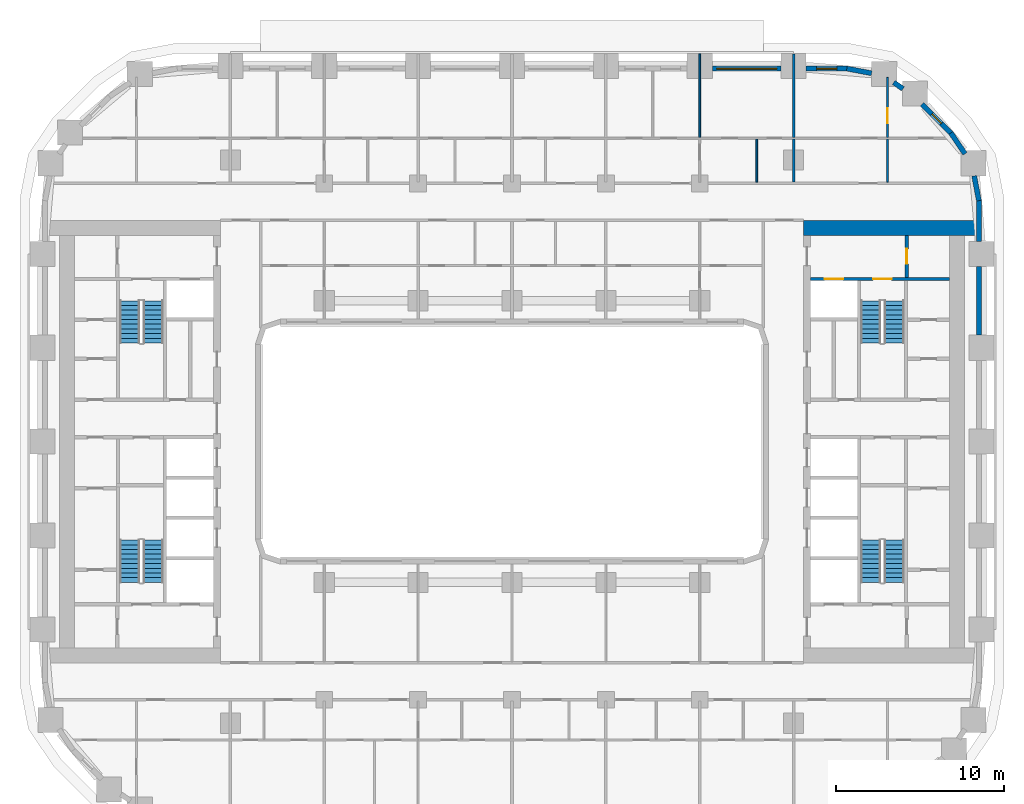
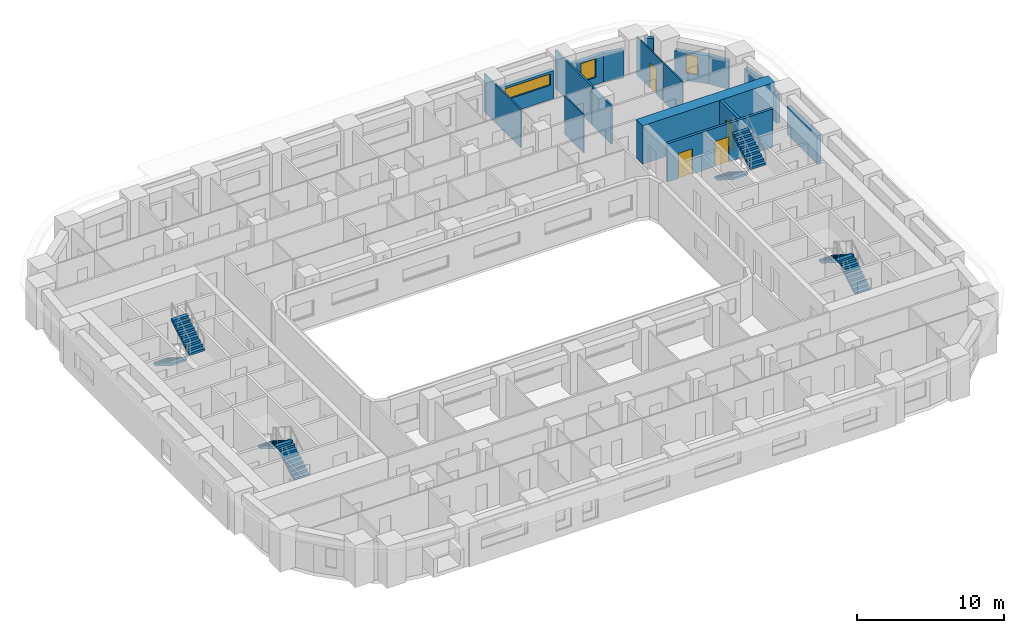
# One storey, part 10 of 21: 18 walls, 8 stair flights, 4 doors, 3 windows, 7 openings, 4 elements without a shape of their own.
"""IFC4 building model written with IfcOpenShell, lengths in metres."""

from ifc_helpers import new_model, si_unit, direction, frame, frame_2d, origin, place, context, subcontext, project, spatial, polyline, rectangle, outline, extrude, material, layer, layer_set, type_object, element, fill, aggregate, save


model = new_model("IFC4")

# Units and contexts
model_context = context("Model", 3, precision=1e-05, world=origin(), true_north=direction((0.0, 1.0)))
body_context = subcontext(model_context, "Body", "Model", "MODEL_VIEW")
ifc_project = project(units=[si_unit("LENGTHUNIT", "METRE"), si_unit("AREAUNIT", "SQUARE_METRE"), si_unit("VOLUMEUNIT", "CUBIC_METRE"), si_unit("PLANEANGLEUNIT", "RADIAN"), si_unit("MASSUNIT", "GRAM", prefix="KILO")], contexts=[model_context])

# Site, building, storey
site_placement = place(None, origin())
site = spatial("IfcSite", under=ifc_project, at=site_placement, CompositionType="ELEMENT")
building_placement = place(site_placement, origin())
building = spatial("IfcBuilding", under=site, at=building_placement, Name="Kiln Ring Residences", CompositionType="ELEMENT")
storey_placement = place(building_placement, frame((0.0, 0.0, 41.0)))
storey = spatial("IfcBuildingStorey", under=building, at=storey_placement, Name="L09", CompositionType="ELEMENT", Elevation=41.0)

# Wall, opening, door
ifc_material_1 = material(Name="Gypsum board on steel studs", Category="steel")
ifc_layer_1 = layer(ifc_material_1, 0.199951171875)
ifc_layer_set_1 = layer_set([ifc_layer_1], Name="CORE-PARTITION-200")
wall_type_1 = type_object("IfcWallType", Name="CORE-PARTITION-200", PredefinedType="PARTITIONING", material=ifc_layer_set_1)
wall_1_placement = place(storey_placement, frame((23.550048828125, 9.800048828125, 0.0), z_axis=(0.0, 0.0, 1.0), x_axis=(0.0, 1.0, 0.0)))
wall_1 = element("IfcWall", 1, at=wall_1_placement, inside=storey, type_object=wall_type_1, Name="Core partition east L09 4", PredefinedType="PARTITIONING", context=body_context, shape_type="SweptSolid", body=[
    extrude(rectangle(XDim=2.5, YDim=0.199951171875, at=frame_2d((1.25, 0.0))), origin(), (0.0, 0.0, 1.0), 3.199951171875),
])
opening_1_placement = place(wall_1_placement, frame((0.800048828125, 0.0, 0.0)))
opening_1 = element("IfcOpeningElement", 2, at=opening_1_placement, cuts=wall_1, Name="Opening L09-CE10", PredefinedType="OPENING", context=body_context, shape_type="SweptSolid", body=[
    extrude(rectangle(XDim=0.89990234375, YDim=2.10009765625, at=frame_2d((0.449951171875, 1.050048828125))), frame((0.0, 0.10986328125, 0.0), z_axis=(0.0, -1.0, 0.0), x_axis=(1.0, 0.0, 0.0)), (0.0, 0.0, 1.0), 0.219970703125),
])
ifc_material_2 = material(Name="Steel door leaf", Category="steel")
door_type_1 = type_object("IfcDoorType", Name="CORE-DOOR-ROOM", OperationType="SINGLE_SWING_LEFT", PredefinedType="DOOR", material=ifc_material_2)
door_1_placement = place(opening_1_placement, origin())
door_1 = element("IfcDoor", 3, at=door_1_placement, inside=storey, type_object=door_type_1, Name="Fire riser room L09-CE10", OperationType="SINGLE_SWING_LEFT", OverallHeight=2.10009765625, OverallWidth=0.89990234375, PredefinedType="DOOR", context=body_context, shape_type="SweptSolid", body=[
    extrude(rectangle(XDim=0.89990234375, YDim=2.10009765625, at=frame_2d((0.449951171875, 1.050048828125))), frame((0.0, 0.02490234375, 0.0), z_axis=(0.0, -1.0, 0.0), x_axis=(1.0, 0.0, 0.0)), (0.0, 0.0, 1.0), 0.050048828125),
])
fill(opening_1, door_1)

# Wall, openings, doors
ifc_material_3 = material(Name="Concrete C40/50", Category="concrete")
ifc_layer_2 = layer(ifc_material_3, 0.199951171875)
ifc_layer_set_2 = layer_set([ifc_layer_2], Name="CORE-WALL-RC200")
wall_type_2 = type_object("IfcWallType", Name="CORE-WALL-RC200", PredefinedType="SHEAR", material=ifc_layer_set_2)
wall_2_placement = place(storey_placement, frame((17.800048828125, 9.699951171875, 0.0), z_axis=(0.0, 0.0, 1.0), x_axis=(1.0, 0.0, 0.0)))
wall_2 = element("IfcWall", 4, at=wall_2_placement, inside=storey, type_object=wall_type_2, Name="Core wall east L09 9", PredefinedType="SHEAR", context=body_context, shape_type="SweptSolid", body=[
    extrude(rectangle(XDim=8.300048828125, YDim=0.199951171875, at=frame_2d((4.14990234375, 0.0))), origin(), (0.0, 0.0, 1.0), 3.199951171875),
])
opening_2_placement = place(wall_2_placement, frame((0.85009765625, 0.0, 0.0)))
opening_2 = element("IfcOpeningElement", 5, at=opening_2_placement, cuts=wall_2, Name="Opening L09-CE07", PredefinedType="OPENING", context=body_context, shape_type="SweptSolid", body=[
    extrude(rectangle(XDim=1.10009765625, YDim=2.10009765625, at=frame_2d((0.550048828125, 1.050048828125))), frame((0.0, 0.10986328125, 0.0), z_axis=(0.0, -1.0, 0.0), x_axis=(1.0, 0.0, 0.0)), (0.0, 0.0, 1.0), 0.219970703125),
])
opening_3_placement = place(wall_2_placement, frame((3.75, 0.0, 0.0)))
opening_3 = element("IfcOpeningElement", 6, at=opening_3_placement, cuts=wall_2, Name="Opening L09-CE12", PredefinedType="OPENING", context=body_context, shape_type="SweptSolid", body=[
    extrude(rectangle(XDim=1.10009765625, YDim=2.10009765625, at=frame_2d((0.550048828125, 1.050048828125))), frame((0.0, 0.10986328125, 0.0), z_axis=(0.0, -1.0, 0.0), x_axis=(1.0, 0.0, 0.0)), (0.0, 0.0, 1.0), 0.219970703125),
])
ifc_material_4 = material(Name="Steel door leaf", Category="steel")
door_type_2 = type_object("IfcDoorType", Name="CORE-DOOR-LD", OperationType="DOUBLE_DOOR_SLIDING", PredefinedType="DOOR", material=ifc_material_4)
door_2_placement = place(opening_2_placement, origin())
door_2 = element("IfcDoor", 7, at=door_2_placement, inside=storey, type_object=door_type_2, Name="LD E-FF L09-CE07", OperationType="DOUBLE_DOOR_SLIDING", OverallHeight=2.10009765625, OverallWidth=1.10009765625, PredefinedType="DOOR", context=body_context, shape_type="SweptSolid", body=[
    extrude(rectangle(XDim=1.10009765625, YDim=2.10009765625, at=frame_2d((0.550048828125, 1.050048828125))), frame((0.0, 0.02490234375, 0.0), z_axis=(0.0, -1.0, 0.0), x_axis=(1.0, 0.0, 0.0)), (0.0, 0.0, 1.0), 0.050048828125),
])
fill(opening_2, door_2)
ifc_material_5 = material(Name="Steel door leaf", Category="steel")
door_type_3 = type_object("IfcDoorType", Name="CORE-DOOR-STAIR", OperationType="SINGLE_SWING_LEFT", PredefinedType="DOOR", material=ifc_material_5)
door_3_placement = place(opening_3_placement, origin())
door_3 = element("IfcDoor", 8, at=door_3_placement, inside=storey, type_object=door_type_3, Name="Stair E-STN L09-CE12", OperationType="SINGLE_SWING_LEFT", OverallHeight=2.10009765625, OverallWidth=1.10009765625, PredefinedType="DOOR", context=body_context, shape_type="SweptSolid", body=[
    extrude(rectangle(XDim=1.10009765625, YDim=2.10009765625, at=frame_2d((0.550048828125, 1.050048828125))), frame((0.0, 0.02490234375, 0.0), z_axis=(0.0, -1.0, 0.0), x_axis=(1.0, 0.0, 0.0)), (0.0, 0.0, 1.0), 0.050048828125),
])
fill(opening_3, door_3)

# Walls
ifc_material_6 = material(Name="Concrete C60/75", Category="concrete")
ifc_layer_3 = layer(ifc_material_6, 0.89990234375)
ifc_layer_set_3 = layer_set([ifc_layer_3], Name="CORE-WALL-RC900")
wall_type_3 = type_object("IfcWallType", Name="CORE-WALL-RC900", PredefinedType="SHEAR", material=ifc_layer_set_3)
wall_3_placement = place(storey_placement, frame((17.39990234375, 12.75, 0.0), z_axis=(0.0, 0.0, 1.0), x_axis=(1.0, 0.0, 0.0)))
element("IfcWall", 9, at=wall_3_placement, inside=storey, type_object=wall_type_3, Name="Core wall east L09 4", PredefinedType="SHEAR", context=body_context, shape_type="SweptSolid", body=[
    extrude(rectangle(XDim=10.400146484375, YDim=0.89990234375, at=frame_2d((5.2001953125, 0.0))), origin(), (0.0, 0.0, 1.0), 3.199951171875),
])
ifc_material_7 = material(Name="Brick masonry, dark clay brick", Category="masonry")
ifc_layer_4 = layer(ifc_material_7, 0.300048828125)
ifc_layer_set_4 = layer_set([ifc_layer_4], Name="EW-300 BRICK WALL")
wall_type_4 = type_object("IfcWallType", Name="EW-300 BRICK WALL", PredefinedType="SOLIDWALL", material=ifc_layer_set_4)
wall_4_placement = place(storey_placement, frame((27.85009765625, 6.35009765625, 0.0), z_axis=(0.0, 0.0, 1.0), x_axis=(0.0, 1.0, 0.0)))
element("IfcWall", 10, at=wall_4_placement, inside=storey, type_object=wall_type_4, Name="Facade wall L09 21", PredefinedType="SOLIDWALL", context=body_context, shape_type="SweptSolid", body=[
    extrude(rectangle(XDim=4.099853515625, YDim=0.300048828125, at=frame_2d((2.0498046875, 0.0))), origin(), (0.0, 0.0, 1.0), 2.35009765625),
])
wall_5_placement = place(storey_placement, frame((27.85009765625, 11.949951171875, 0.0), z_axis=(0.0, 0.0, 1.0), x_axis=(0.0, 1.0, 0.0)))
element("IfcWall", 11, at=wall_5_placement, inside=storey, type_object=wall_type_4, Name="Facade wall L09 22", PredefinedType="SOLIDWALL", context=body_context, shape_type="SweptSolid", body=[
    extrude(rectangle(XDim=2.449951171875, YDim=0.300048828125, at=frame_2d((1.22509765625, 0.0))), origin(), (0.0, 0.0, 1.0), 2.35009765625),
])
for number, where, z_axis, x_axis, name in (
    (12, (27.8525390625, 14.371826171875, 0.0), (0.0, 0.0, 1.0), (-0.187223837635, 0.982317277982, 0.0), "Facade wall L09 23"),
    (13, (27.025390625, 17.1669921875, 0.0), (0.0, 0.0, 1.0), (-0.561973021955, 0.827155561303, 0.0), "Facade wall L09 24"),
):
    element("IfcWall", number, at=place(storey_placement, frame(where, z_axis=z_axis, x_axis=x_axis)), inside=storey, type_object=wall_type_4, Name=name, PredefinedType="SOLIDWALL", context=body_context, shape_type="SweptSolid", body=[
        extrude(rectangle(XDim=1.506103515625, YDim=0.300048828125, at=frame_2d((0.7529296875, 0.0))), origin(), (0.0, 0.0, 1.0), 2.35009765625),
    ])

# Wall, opening, window
wall_6_placement = place(storey_placement, frame((26.19677734375, 18.390869140625, 0.0), z_axis=(0.0, 0.0, 1.0), x_axis=(-0.707106781187, 0.707106781187, 0.0)))
wall_6 = element("IfcWall", 14, at=wall_6_placement, inside=storey, type_object=wall_type_4, Name="Facade wall L09 25", PredefinedType="SOLIDWALL", context=body_context, shape_type="SweptSolid", body=[
    extrude(rectangle(XDim=2.449951171875, YDim=0.300048828125, at=frame_2d((1.22509765625, 0.0))), origin(), (0.0, 0.0, 1.0), 2.35009765625),
])
opening_4_placement = place(wall_6_placement, frame((0.824951171875, 0.0, 0.60009765625)))
opening_4 = element("IfcOpeningElement", 15, at=opening_4_placement, cuts=wall_6, Name="Opening W5", PredefinedType="OPENING", context=body_context, shape_type="SweptSolid", body=[
    extrude(rectangle(XDim=0.800048828125, YDim=1.550048828125, at=frame_2d((0.39990234375, 0.77490234375))), frame((0.0, 0.159912109375, 0.0), z_axis=(0.0, -1.0, 0.0), x_axis=(1.0, 0.0, 0.0)), (0.0, 0.0, 1.0), 0.320068359375),
])
ifc_material_8 = material(Name="Aluminium frame with double glazing", Category="aluminium")
window_type_1 = type_object("IfcWindowType", Name="WINDOW 800 x 1550", PartitioningType="SINGLE_PANEL", PredefinedType="WINDOW", material=ifc_material_8)
window_1_placement = place(opening_4_placement, origin())
window_1 = element("IfcWindow", 16, at=window_1_placement, inside=storey, type_object=window_type_1, Name="Window L09 12", OverallHeight=1.550048828125, OverallWidth=0.800048828125, PartitioningType="SINGLE_PANEL", PredefinedType="WINDOW", context=body_context, shape_type="SweptSolid", body=[
    extrude(rectangle(XDim=0.800048828125, YDim=1.550048828125, at=frame_2d((0.39990234375, 0.77490234375))), frame((0.0, 0.030029296875, 0.0), z_axis=(0.0, -1.0, 0.0), x_axis=(1.0, 0.0, 0.0)), (0.0, 0.0, 1.0), 0.06005859375),
])
fill(opening_4, window_1)

# Walls
wall_7_placement = place(storey_placement, frame((23.3271484375, 21.044921875, 0.0), z_axis=(0.0, 0.0, 1.0), x_axis=(-0.827080706709, 0.562083182981, 0.0)))
element("IfcWall", 17, at=wall_7_placement, inside=storey, type_object=wall_type_4, Name="Facade wall L09 26", PredefinedType="SOLIDWALL", context=body_context, shape_type="SweptSolid", body=[
    extrude(rectangle(XDim=0.67724609375, YDim=0.300048828125, at=frame_2d((0.338623046875, 0.0))), origin(), (0.0, 0.0, 1.0), 3.199951171875),
])
wall_8_placement = place(storey_placement, frame((21.451416015625, 21.970458984375, 0.0), z_axis=(0.0, 0.0, 1.0), x_axis=(-0.982287454367, 0.187380247071, 0.0)))
element("IfcWall", 18, at=wall_8_placement, inside=storey, type_object=wall_type_4, Name="Facade wall L09 27", PredefinedType="SOLIDWALL", context=body_context, shape_type="SweptSolid", body=[
    extrude(rectangle(XDim=1.506103515625, YDim=0.300048828125, at=frame_2d((0.7529296875, 0.0))), origin(), (0.0, 0.0, 1.0), 2.35009765625),
])

# Wall, opening, window
wall_9_placement = place(storey_placement, frame((20.0, 22.25, 0.0), z_axis=(0.0, 0.0, 1.0), x_axis=(-1.0, 0.0, 0.0)))
wall_9 = element("IfcWall", 19, at=wall_9_placement, inside=storey, type_object=wall_type_4, Name="Facade wall L09 28", PredefinedType="SOLIDWALL", context=body_context, shape_type="SweptSolid", body=[
    extrude(rectangle(XDim=2.449951171875, YDim=0.300048828125, at=frame_2d((1.22509765625, 0.0))), origin(), (0.0, 0.0, 1.0), 2.35009765625),
])
opening_5_placement = place(wall_9_placement, frame((0.625, 0.0, 0.60009765625)))
opening_5 = element("IfcOpeningElement", 20, at=opening_5_placement, cuts=wall_9, Name="Opening W1", PredefinedType="OPENING", context=body_context, shape_type="SweptSolid", body=[
    extrude(rectangle(XDim=1.199951171875, YDim=1.550048828125, at=frame_2d((0.60009765625, 0.77490234375))), frame((0.0, 0.159912109375, 0.0), z_axis=(0.0, -1.0, 0.0), x_axis=(1.0, 0.0, 0.0)), (0.0, 0.0, 1.0), 0.320068359375),
])
ifc_material_9 = material(Name="Aluminium frame with double glazing", Category="aluminium")
window_type_2 = type_object("IfcWindowType", Name="WINDOW 1200 x 1550", PartitioningType="SINGLE_PANEL", PredefinedType="WINDOW", material=ifc_material_9)
window_2_placement = place(opening_5_placement, origin())
window_2 = element("IfcWindow", 21, at=window_2_placement, inside=storey, type_object=window_type_2, Name="Window L09 13", OverallHeight=1.550048828125, OverallWidth=1.199951171875, PartitioningType="SINGLE_PANEL", PredefinedType="WINDOW", context=body_context, shape_type="SweptSolid", body=[
    extrude(rectangle(XDim=1.199951171875, YDim=1.550048828125, at=frame_2d((0.60009765625, 0.77490234375))), frame((0.0, 0.030029296875, 0.0), z_axis=(0.0, -1.0, 0.0), x_axis=(1.0, 0.0, 0.0)), (0.0, 0.0, 1.0), 0.06005859375),
])
fill(opening_5, window_2)

wall_10_placement = place(storey_placement, frame((16.050048828125, 22.25, 0.0), z_axis=(0.0, 0.0, 1.0), x_axis=(-1.0, 0.0, 0.0)))
wall_10 = element("IfcWall", 22, at=wall_10_placement, inside=storey, type_object=wall_type_4, Name="Facade wall L09 29", PredefinedType="SOLIDWALL", context=body_context, shape_type="SweptSolid", body=[
    extrude(rectangle(XDim=4.10009765625, YDim=0.300048828125, at=frame_2d((2.050048828125, 0.0))), origin(), (0.0, 0.0, 1.0), 2.35009765625),
])
opening_6_placement = place(wall_10_placement, frame((0.25, 0.0, 1.199951171875)))
opening_6 = element("IfcOpeningElement", 23, at=opening_6_placement, cuts=wall_10, Name="Opening W4", PredefinedType="OPENING", context=body_context, shape_type="SweptSolid", body=[
    extrude(rectangle(XDim=3.60009765625, YDim=0.949951171875, at=frame_2d((1.800048828125, 0.47509765625))), frame((0.0, 0.159912109375, 0.0), z_axis=(0.0, -1.0, 0.0), x_axis=(1.0, 0.0, 0.0)), (0.0, 0.0, 1.0), 0.320068359375),
])
ifc_material_10 = material(Name="Aluminium frame with double glazing", Category="aluminium")
window_type_3 = type_object("IfcWindowType", Name="WINDOW 3600 x 950", PartitioningType="SINGLE_PANEL", PredefinedType="WINDOW", material=ifc_material_10)
window_3_placement = place(opening_6_placement, origin())
window_3 = element("IfcWindow", 24, at=window_3_placement, inside=storey, type_object=window_type_3, Name="Window L09 14", OverallHeight=0.949951171875, OverallWidth=3.60009765625, PartitioningType="SINGLE_PANEL", PredefinedType="WINDOW", context=body_context, shape_type="SweptSolid", body=[
    extrude(rectangle(XDim=3.60009765625, YDim=0.949951171875, at=frame_2d((1.800048828125, 0.47509765625))), frame((0.0, 0.030029296875, 0.0), z_axis=(0.0, -1.0, 0.0), x_axis=(1.0, 0.0, 0.0)), (0.0, 0.0, 1.0), 0.06005859375),
])
fill(opening_6, window_3)

# Walls
ifc_material_11 = material(Name="Gypsum board on steel studs", Category="steel")
ifc_layer_5 = layer(ifc_material_11, 0.10009765625)
ifc_layer_set_5 = layer_set([ifc_layer_5], Name="PARTITION-100")
wall_type_5 = type_object("IfcWallType", Name="PARTITION-100", PredefinedType="PARTITIONING", material=ifc_layer_set_5)
wall_11_placement = place(storey_placement, frame((11.199951171875, 18.14990234375, 0.0), z_axis=(0.0, 0.0, 1.0), x_axis=(0.0, 1.0, 0.0)))
element("IfcWall", 25, at=wall_11_placement, inside=storey, type_object=wall_type_5, Name="Partition 061", PredefinedType="PARTITIONING", context=body_context, shape_type="SweptSolid", body=[
    extrude(rectangle(XDim=4.97998046875, YDim=0.10009765625, at=frame_2d((2.489990234375, 0.0))), origin(), (0.0, 0.0, 1.0), 3.199951171875),
])
for number, where, z_axis, x_axis, name in (
    (26, (14.60009765625, 15.47509765625, 0.0), (0.0, 0.0, 1.0), (0.0, 1.0, 0.0), "Partition 065"),
    (27, (22.39990234375, 15.47509765625, 0.0), (0.0, 0.0, 1.0), (0.0, 1.0, 0.0), "Partition 074"),
):
    element("IfcWall", number, at=place(storey_placement, frame(where, z_axis=z_axis, x_axis=x_axis)), inside=storey, type_object=wall_type_5, Name=name, PredefinedType="PARTITIONING", context=body_context, shape_type="SweptSolid", body=[
        extrude(rectangle(XDim=2.574951171875, YDim=0.10009765625, at=frame_2d((1.28759765625, 0.0))), origin(), (0.0, 0.0, 1.0), 3.199951171875),
    ])

# Wall, opening, door
wall_12_placement = place(storey_placement, frame((22.39990234375, 18.14990234375, 0.0), z_axis=(0.0, 0.0, 1.0), x_axis=(0.0, 1.0, 0.0)))
wall_12 = element("IfcWall", 28, at=wall_12_placement, inside=storey, type_object=wall_type_5, Name="Partition 075", PredefinedType="PARTITIONING", context=body_context, shape_type="SweptSolid", body=[
    extrude(rectangle(XDim=3.570068359375, YDim=0.10009765625, at=frame_2d((1.78515625, 0.0))), origin(), (0.0, 0.0, 1.0), 3.199951171875),
])
opening_7_placement = place(wall_12_placement, frame((0.85009765625, 0.0, 0.0)))
opening_7 = element("IfcOpeningElement", 29, at=opening_7_placement, cuts=wall_12, Name="Opening L09-D044", PredefinedType="OPENING", context=body_context, shape_type="SweptSolid", body=[
    extrude(rectangle(XDim=0.89990234375, YDim=2.10009765625, at=frame_2d((0.449951171875, 1.050048828125))), frame((0.0, 0.06005859375, 0.0), z_axis=(0.0, -1.0, 0.0), x_axis=(1.0, 0.0, 0.0)), (0.0, 0.0, 1.0), 0.1201171875),
])
ifc_material_12 = material(Name="Timber door leaf", Category="wood")
door_type_4 = type_object("IfcDoorType", Name="FLAT-DOOR-900-PL", OperationType="SINGLE_SWING_LEFT", PredefinedType="DOOR", material=ifc_material_12)
door_4_placement = place(opening_7_placement, origin())
door_4 = element("IfcDoor", 30, at=door_4_placement, inside=storey, type_object=door_type_4, Name="Door L09-D044", OperationType="SINGLE_SWING_LEFT", OverallHeight=2.10009765625, OverallWidth=0.89990234375, PredefinedType="DOOR", context=body_context, shape_type="SweptSolid", body=[
    extrude(rectangle(XDim=0.89990234375, YDim=2.10009765625, at=frame_2d((0.449951171875, 1.050048828125))), frame((0.0, 0.02490234375, 0.0), z_axis=(0.0, -1.0, 0.0), x_axis=(1.0, 0.0, 0.0)), (0.0, 0.0, 1.0), 0.050048828125),
])
fill(opening_7, door_4)

# Walls
ifc_material_13 = material(Name="Brick masonry partition", Category="masonry")
ifc_layer_6 = layer(ifc_material_13, 0.14990234375)
ifc_layer_set_6 = layer_set([ifc_layer_6], Name="PARTITION-150-ei60")
wall_type_6 = type_object("IfcWallType", Name="PARTITION-150-ei60", PredefinedType="PARTITIONING", material=ifc_layer_set_6)
wall_13_placement = place(storey_placement, frame((16.800048828125, 15.47509765625, 0.0), z_axis=(0.0, 0.0, 1.0), x_axis=(0.0, 1.0, 0.0)))
element("IfcWall", 31, at=wall_13_placement, inside=storey, type_object=wall_type_6, Name="Partition 070", PredefinedType="PARTITIONING", context=body_context, shape_type="SweptSolid", body=[
    extrude(rectangle(XDim=2.574951171875, YDim=0.14990234375, at=frame_2d((1.28759765625, 0.0))), origin(), (0.0, 0.0, 1.0), 3.199951171875),
])
wall_14_placement = place(storey_placement, frame((16.800048828125, 18.14990234375, 0.0), z_axis=(0.0, 0.0, 1.0), x_axis=(0.0, 1.0, 0.0)))
element("IfcWall", 32, at=wall_14_placement, inside=storey, type_object=wall_type_6, Name="Partition 071", PredefinedType="PARTITIONING", context=body_context, shape_type="SweptSolid", body=[
    extrude(rectangle(XDim=4.97998046875, YDim=0.14990234375, at=frame_2d((2.489990234375, 0.0))), origin(), (0.0, 0.0, 1.0), 3.199951171875),
])

# Stair, stair flights
ifc_material_14 = material(Name="Concrete C40/50", Category="concrete")
stair_type = type_object("IfcStairType", Name="CORE-STAIR", PredefinedType="HALF_TURN_STAIR", material=ifc_material_14)
placement = place(storey_placement, origin())
stair_1 = element("IfcStair", 33, at=placement, inside=storey, type_object=stair_type, Name="L09 stair W-STN", PredefinedType="HALF_TURN_STAIR")
ifc_material_15 = material(Name="Concrete C40/50", Category="concrete")
stair_flight_type = type_object("IfcStairFlightType", Name="CORE-STAIR-FLIGHT", PredefinedType="STRAIGHT", material=ifc_material_15)
stair_flight_1_placement = place(storey_placement, frame((-22.800048828125, 8.39990234375, 0.0), z_axis=(0.0, 0.0, 1.0), x_axis=(0.0, -1.0, 0.0)))
stair_flight_1 = element("IfcStairFlight", 34, at=stair_flight_1_placement, type_object=stair_flight_type, Name="W-STN flight 1", NumberOfRisers=10, NumberOfTreads=9, PredefinedType="STRAIGHT", RiserHeight=0.175, TreadLength=0.28, context=body_context, shape_type="SweptSolid", body=[
    extrude(outline(polyline([(0.0, 0.0), (0.0, 0.175048828125), (0.280029296875, 0.175048828125), (0.280029296875, 0.35009765625), (0.56005859375, 0.35009765625), (0.56005859375, 0.52490234375), (0.840087890625, 0.52490234375), (0.840087890625, 0.699951171875), (1.1201171875, 0.699951171875), (1.1201171875, 0.875), (1.39990234375, 0.875), (1.39990234375, 1.050048828125), (1.679931640625, 1.050048828125), (1.679931640625, 1.22509765625), (1.9599609375, 1.22509765625), (1.9599609375, 1.39990234375), (2.239990234375, 1.39990234375), (2.239990234375, 1.574951171875), (2.52001953125, 1.574951171875), (2.52001953125, 1.75), (2.52001953125, 1.398193359375), (0.28271484375, 0.0), (0.0, 0.0)])), frame((0.0, 0.60009765625, 0.0), z_axis=(0.0, -1.0, 0.0), x_axis=(1.0, 0.0, 0.0)), (0.0, 0.0, 1.0), 1.199951171875),
])
stair_flight_2_placement = place(storey_placement, frame((-21.39990234375, 5.8798828125, 1.75), z_axis=(0.0, 0.0, 1.0), x_axis=(0.0, 1.0, 0.0)))
stair_flight_2 = element("IfcStairFlight", 35, at=stair_flight_2_placement, type_object=stair_flight_type, Name="W-STN flight 2", NumberOfRisers=10, NumberOfTreads=9, PredefinedType="STRAIGHT", RiserHeight=0.175, TreadLength=0.28, context=body_context, shape_type="SweptSolid", body=[
    extrude(outline(polyline([(0.0, 0.0), (0.0, 0.175048828125), (0.280029296875, 0.175048828125), (0.280029296875, 0.35009765625), (0.56005859375, 0.35009765625), (0.56005859375, 0.52490234375), (0.840087890625, 0.52490234375), (0.840087890625, 0.699951171875), (1.1201171875, 0.699951171875), (1.1201171875, 0.875), (1.39990234375, 0.875), (1.39990234375, 1.050048828125), (1.679931640625, 1.050048828125), (1.679931640625, 1.22509765625), (1.9599609375, 1.22509765625), (1.9599609375, 1.39990234375), (2.239990234375, 1.39990234375), (2.239990234375, 1.574951171875), (2.52001953125, 1.574951171875), (2.52001953125, 1.75), (2.52001953125, 1.398193359375), (0.28271484375, 0.0), (0.0, 0.0)])), frame((0.0, 0.60009765625, 0.0), z_axis=(0.0, -1.0, 0.0), x_axis=(1.0, 0.0, 0.0)), (0.0, 0.0, 1.0), 1.199951171875),
])
aggregate(stair_1, [stair_flight_1, stair_flight_2])

stair_2 = element("IfcStair", 36, at=placement, inside=storey, type_object=stair_type, Name="L09 stair W-STS", PredefinedType="HALF_TURN_STAIR")
stair_flight_3_placement = place(storey_placement, frame((-21.39990234375, -8.39990234375, 0.0), z_axis=(0.0, 0.0, 1.0), x_axis=(0.0, 1.0, 0.0)))
stair_flight_3 = element("IfcStairFlight", 37, at=stair_flight_3_placement, type_object=stair_flight_type, Name="W-STS flight 1", NumberOfRisers=10, NumberOfTreads=9, PredefinedType="STRAIGHT", RiserHeight=0.175, TreadLength=0.28, context=body_context, shape_type="SweptSolid", body=[
    extrude(outline(polyline([(0.0, 0.0), (0.0, 0.175048828125), (0.280029296875, 0.175048828125), (0.280029296875, 0.35009765625), (0.56005859375, 0.35009765625), (0.56005859375, 0.52490234375), (0.840087890625, 0.52490234375), (0.840087890625, 0.699951171875), (1.1201171875, 0.699951171875), (1.1201171875, 0.875), (1.39990234375, 0.875), (1.39990234375, 1.050048828125), (1.679931640625, 1.050048828125), (1.679931640625, 1.22509765625), (1.9599609375, 1.22509765625), (1.9599609375, 1.39990234375), (2.239990234375, 1.39990234375), (2.239990234375, 1.574951171875), (2.52001953125, 1.574951171875), (2.52001953125, 1.75), (2.52001953125, 1.398193359375), (0.28271484375, 0.0), (0.0, 0.0)])), frame((0.0, 0.60009765625, 0.0), z_axis=(0.0, -1.0, 0.0), x_axis=(1.0, 0.0, 0.0)), (0.0, 0.0, 1.0), 1.199951171875),
])
stair_flight_4_placement = place(storey_placement, frame((-22.800048828125, -5.8798828125, 1.75), z_axis=(0.0, 0.0, 1.0), x_axis=(0.0, -1.0, 0.0)))
stair_flight_4 = element("IfcStairFlight", 38, at=stair_flight_4_placement, type_object=stair_flight_type, Name="W-STS flight 2", NumberOfRisers=10, NumberOfTreads=9, PredefinedType="STRAIGHT", RiserHeight=0.175, TreadLength=0.28, context=body_context, shape_type="SweptSolid", body=[
    extrude(outline(polyline([(0.0, 0.0), (0.0, 0.175048828125), (0.280029296875, 0.175048828125), (0.280029296875, 0.35009765625), (0.56005859375, 0.35009765625), (0.56005859375, 0.52490234375), (0.840087890625, 0.52490234375), (0.840087890625, 0.699951171875), (1.1201171875, 0.699951171875), (1.1201171875, 0.875), (1.39990234375, 0.875), (1.39990234375, 1.050048828125), (1.679931640625, 1.050048828125), (1.679931640625, 1.22509765625), (1.9599609375, 1.22509765625), (1.9599609375, 1.39990234375), (2.239990234375, 1.39990234375), (2.239990234375, 1.574951171875), (2.52001953125, 1.574951171875), (2.52001953125, 1.75), (2.52001953125, 1.398193359375), (0.28271484375, 0.0), (0.0, 0.0)])), frame((0.0, 0.60009765625, 0.0), z_axis=(0.0, -1.0, 0.0), x_axis=(1.0, 0.0, 0.0)), (0.0, 0.0, 1.0), 1.199951171875),
])
aggregate(stair_2, [stair_flight_3, stair_flight_4])

stair_3 = element("IfcStair", 39, at=placement, inside=storey, type_object=stair_type, Name="L09 stair E-STN", PredefinedType="HALF_TURN_STAIR")
stair_flight_5_placement = place(storey_placement, frame((21.39990234375, 8.39990234375, 0.0), z_axis=(0.0, 0.0, 1.0), x_axis=(0.0, -1.0, 0.0)))
stair_flight_5 = element("IfcStairFlight", 40, at=stair_flight_5_placement, type_object=stair_flight_type, Name="E-STN flight 1", NumberOfRisers=10, NumberOfTreads=9, PredefinedType="STRAIGHT", RiserHeight=0.175, TreadLength=0.28, context=body_context, shape_type="SweptSolid", body=[
    extrude(outline(polyline([(0.0, 0.0), (0.0, 0.175048828125), (0.280029296875, 0.175048828125), (0.280029296875, 0.35009765625), (0.56005859375, 0.35009765625), (0.56005859375, 0.52490234375), (0.840087890625, 0.52490234375), (0.840087890625, 0.699951171875), (1.1201171875, 0.699951171875), (1.1201171875, 0.875), (1.39990234375, 0.875), (1.39990234375, 1.050048828125), (1.679931640625, 1.050048828125), (1.679931640625, 1.22509765625), (1.9599609375, 1.22509765625), (1.9599609375, 1.39990234375), (2.239990234375, 1.39990234375), (2.239990234375, 1.574951171875), (2.52001953125, 1.574951171875), (2.52001953125, 1.75), (2.52001953125, 1.398193359375), (0.28271484375, 0.0), (0.0, 0.0)])), frame((0.0, 0.60009765625, 0.0), z_axis=(0.0, -1.0, 0.0), x_axis=(1.0, 0.0, 0.0)), (0.0, 0.0, 1.0), 1.199951171875),
])
stair_flight_6_placement = place(storey_placement, frame((22.800048828125, 5.8798828125, 1.75), z_axis=(0.0, 0.0, 1.0), x_axis=(0.0, 1.0, 0.0)))
stair_flight_6 = element("IfcStairFlight", 41, at=stair_flight_6_placement, type_object=stair_flight_type, Name="E-STN flight 2", NumberOfRisers=10, NumberOfTreads=9, PredefinedType="STRAIGHT", RiserHeight=0.175, TreadLength=0.28, context=body_context, shape_type="SweptSolid", body=[
    extrude(outline(polyline([(0.0, 0.0), (0.0, 0.175048828125), (0.280029296875, 0.175048828125), (0.280029296875, 0.35009765625), (0.56005859375, 0.35009765625), (0.56005859375, 0.52490234375), (0.840087890625, 0.52490234375), (0.840087890625, 0.699951171875), (1.1201171875, 0.699951171875), (1.1201171875, 0.875), (1.39990234375, 0.875), (1.39990234375, 1.050048828125), (1.679931640625, 1.050048828125), (1.679931640625, 1.22509765625), (1.9599609375, 1.22509765625), (1.9599609375, 1.39990234375), (2.239990234375, 1.39990234375), (2.239990234375, 1.574951171875), (2.52001953125, 1.574951171875), (2.52001953125, 1.75), (2.52001953125, 1.398193359375), (0.28271484375, 0.0), (0.0, 0.0)])), frame((0.0, 0.60009765625, 0.0), z_axis=(0.0, -1.0, 0.0), x_axis=(1.0, 0.0, 0.0)), (0.0, 0.0, 1.0), 1.199951171875),
])
aggregate(stair_3, [stair_flight_5, stair_flight_6])

stair_4 = element("IfcStair", 42, at=placement, inside=storey, type_object=stair_type, Name="L09 stair E-STS", PredefinedType="HALF_TURN_STAIR")
stair_flight_7_placement = place(storey_placement, frame((22.800048828125, -8.39990234375, 0.0), z_axis=(0.0, 0.0, 1.0), x_axis=(0.0, 1.0, 0.0)))
stair_flight_7 = element("IfcStairFlight", 43, at=stair_flight_7_placement, type_object=stair_flight_type, Name="E-STS flight 1", NumberOfRisers=10, NumberOfTreads=9, PredefinedType="STRAIGHT", RiserHeight=0.175, TreadLength=0.28, context=body_context, shape_type="SweptSolid", body=[
    extrude(outline(polyline([(0.0, 0.0), (0.0, 0.175048828125), (0.280029296875, 0.175048828125), (0.280029296875, 0.35009765625), (0.56005859375, 0.35009765625), (0.56005859375, 0.52490234375), (0.840087890625, 0.52490234375), (0.840087890625, 0.699951171875), (1.1201171875, 0.699951171875), (1.1201171875, 0.875), (1.39990234375, 0.875), (1.39990234375, 1.050048828125), (1.679931640625, 1.050048828125), (1.679931640625, 1.22509765625), (1.9599609375, 1.22509765625), (1.9599609375, 1.39990234375), (2.239990234375, 1.39990234375), (2.239990234375, 1.574951171875), (2.52001953125, 1.574951171875), (2.52001953125, 1.75), (2.52001953125, 1.398193359375), (0.28271484375, 0.0), (0.0, 0.0)])), frame((0.0, 0.60009765625, 0.0), z_axis=(0.0, -1.0, 0.0), x_axis=(1.0, 0.0, 0.0)), (0.0, 0.0, 1.0), 1.199951171875),
])
stair_flight_8_placement = place(storey_placement, frame((21.39990234375, -5.8798828125, 1.75), z_axis=(0.0, 0.0, 1.0), x_axis=(0.0, -1.0, 0.0)))
stair_flight_8 = element("IfcStairFlight", 44, at=stair_flight_8_placement, type_object=stair_flight_type, Name="E-STS flight 2", NumberOfRisers=10, NumberOfTreads=9, PredefinedType="STRAIGHT", RiserHeight=0.175, TreadLength=0.28, context=body_context, shape_type="SweptSolid", body=[
    extrude(outline(polyline([(0.0, 0.0), (0.0, 0.175048828125), (0.280029296875, 0.175048828125), (0.280029296875, 0.35009765625), (0.56005859375, 0.35009765625), (0.56005859375, 0.52490234375), (0.840087890625, 0.52490234375), (0.840087890625, 0.699951171875), (1.1201171875, 0.699951171875), (1.1201171875, 0.875), (1.39990234375, 0.875), (1.39990234375, 1.050048828125), (1.679931640625, 1.050048828125), (1.679931640625, 1.22509765625), (1.9599609375, 1.22509765625), (1.9599609375, 1.39990234375), (2.239990234375, 1.39990234375), (2.239990234375, 1.574951171875), (2.52001953125, 1.574951171875), (2.52001953125, 1.75), (2.52001953125, 1.398193359375), (0.28271484375, 0.0), (0.0, 0.0)])), frame((0.0, 0.60009765625, 0.0), z_axis=(0.0, -1.0, 0.0), x_axis=(1.0, 0.0, 0.0)), (0.0, 0.0, 1.0), 1.199951171875),
])
aggregate(stair_4, [stair_flight_7, stair_flight_8])

save(model, "model.ifc")
